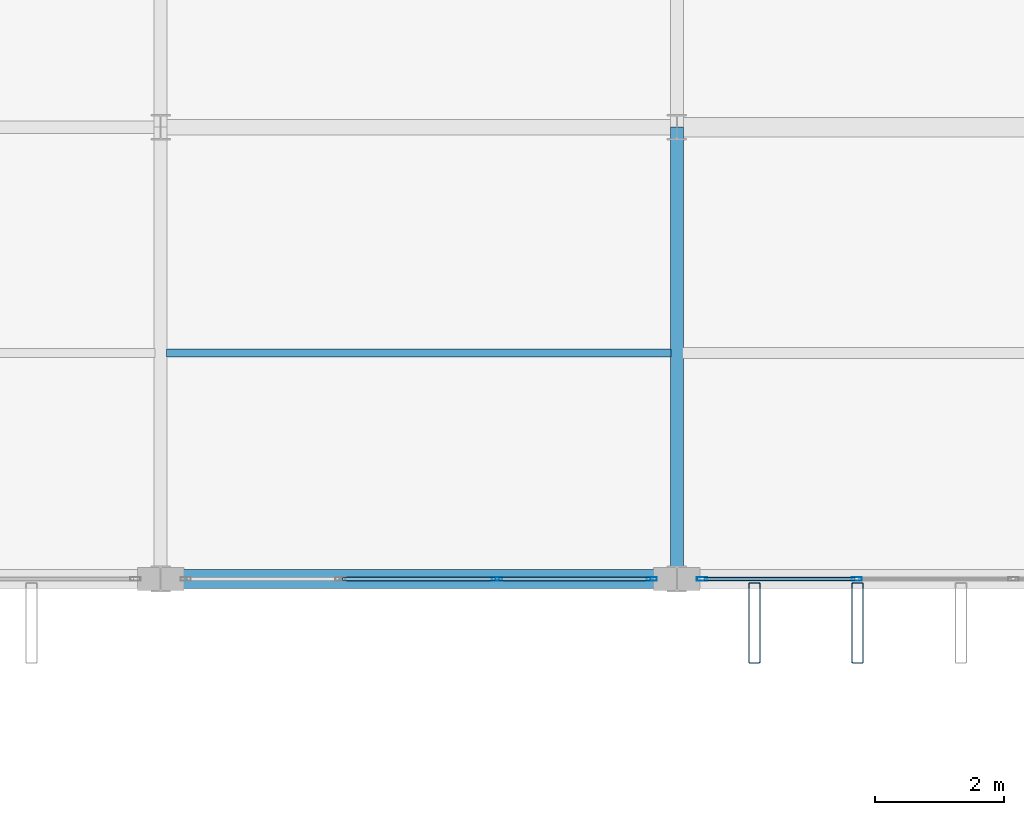
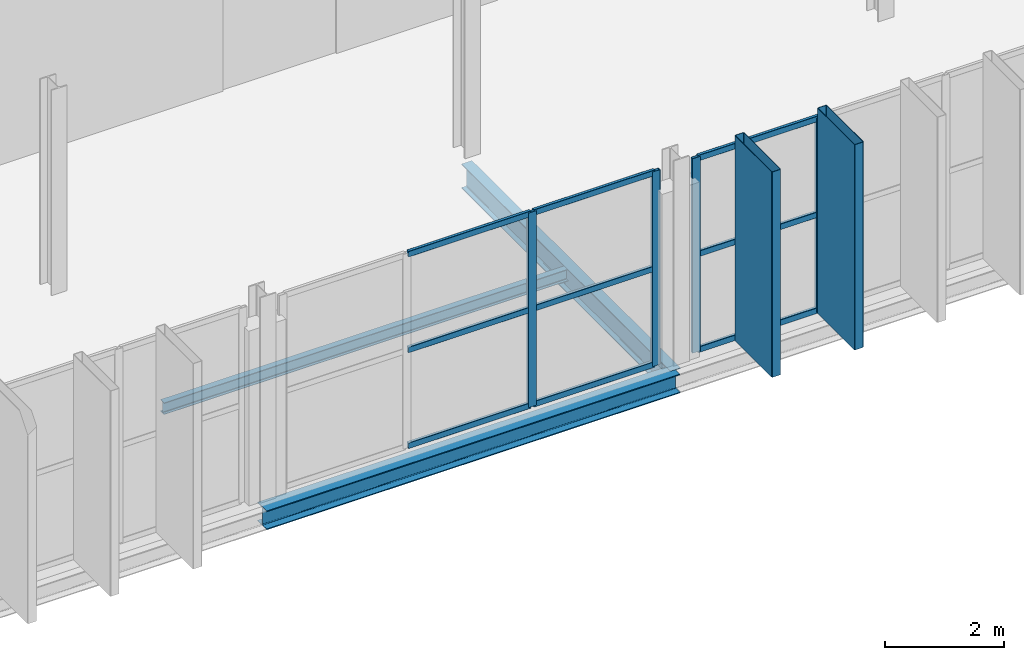
# One storey, part 29 of 101: 15 members, 3 beams, 2 elements without a shape of their own.
"""IFC4 building model written with IfcOpenShell, lengths in metres."""

from ifc_helpers import new_model, si_unit, direction, frame, origin, origin_2d, place, context, subcontext, project, spatial, hollow_rectangle, i_section, extrude, material, layer, layer_set, material_profile, profile_set, type_object, element, aggregate, save


model = new_model("IFC4")

# Units and contexts
model_context = context("Model", 3, precision=1e-05, world=origin(), true_north=direction((0.0, 1.0)))
body_context = subcontext(model_context, "Body", "Model", "MODEL_VIEW")
ifc_project = project(units=[si_unit("LENGTHUNIT", "METRE"), si_unit("AREAUNIT", "SQUARE_METRE"), si_unit("VOLUMEUNIT", "CUBIC_METRE"), si_unit("PLANEANGLEUNIT", "RADIAN"), si_unit("MASSUNIT", "GRAM", prefix="KILO")], contexts=[model_context])

# Site, building, storey
site_placement = place(None, origin())
site = spatial("IfcSite", under=ifc_project, at=site_placement, CompositionType="ELEMENT")
building_placement = place(site_placement, origin())
building = spatial("IfcBuilding", under=site, at=building_placement, Name="Vekula Escarpment Museum", CompositionType="ELEMENT")
storey_placement = place(building_placement, frame((0.0, 0.0, 18.0)))
storey = spatial("IfcBuildingStorey", under=building, at=storey_placement, Name="L04", CompositionType="ELEMENT", Elevation=18.0)

# Beams
ifc_material_1 = material(Name="Steel S355", Category="steel")
ifc_material_profile_1 = material_profile(ifc_material_1, i_section(OverallWidth=0.199951171875, OverallDepth=0.5, WebThickness=0.01025390625, FlangeThickness=0.01611328125, FilletRadius=0.02099609375, at=origin_2d()), Name="IPE 500")
ifc_profile_set_1 = profile_set([ifc_material_profile_1], Name="Steel S355")
beam_type_1 = type_object("IfcBeamType", Name="BM-GIRD-IPE500", PredefinedType="BEAM", material=ifc_profile_set_1)
beam_1_placement = place(storey_placement, frame((102.0, 45.60009765625, -0.489990234375), z_axis=(0.0, 1.0, 0.0), x_axis=(-1.0, 0.0, 0.0)))
element("IfcBeam", 1, at=beam_1_placement, inside=storey, type_object=beam_type_1, Name="Beam Y L04 1895", PredefinedType="BEAM", context=body_context, shape_type="SweptSolid", body=[
    extrude(i_section(OverallWidth=0.199951171875, OverallDepth=0.5, WebThickness=0.01025390625, FlangeThickness=0.01611328125, FilletRadius=0.02099609375, at=origin_2d()), origin(), (0.0, 0.0, 1.0), 7.0),
])
ifc_material_2 = material(Name="Steel S355", Category="steel")
ifc_material_profile_2 = material_profile(ifc_material_2, i_section(OverallWidth=0.1201171875, OverallDepth=0.239990234375, WebThickness=0.006103515625, FlangeThickness=0.009765625, FilletRadius=0.014892578125, at=origin_2d()), Name="IPE 240")
ifc_profile_set_2 = profile_set([ifc_material_profile_2], Name="Steel S355")
beam_type_2 = type_object("IfcBeamType", Name="BM-JST-IPE240", PredefinedType="JOIST", material=ifc_profile_set_2)
beam_2_placement = place(storey_placement, frame((94.090087890625, 49.10009765625, -0.360107421875), z_axis=(1.0, 0.0, 0.0), x_axis=(0.0, 1.0, 0.0)))
element("IfcBeam", 2, at=beam_2_placement, inside=storey, type_object=beam_type_2, Name="Secondary Joist L04 1215", PredefinedType="JOIST", context=body_context, shape_type="SweptSolid", body=[
    extrude(i_section(OverallWidth=0.1201171875, OverallDepth=0.239990234375, WebThickness=0.006103515625, FlangeThickness=0.009765625, FilletRadius=0.014892578125, at=origin_2d()), origin(), (0.0, 0.0, 1.0), 7.81982421875),
])
ifc_material_3 = material(Name="Steel S355", Category="steel")
ifc_material_profile_3 = material_profile(ifc_material_3, i_section(OverallWidth=0.300048828125, OverallDepth=0.389892578125, WebThickness=0.010986328125, FlangeThickness=0.01904296875, FilletRadius=0.027099609375, at=origin_2d()), Name="HEA 400")
ifc_profile_set_3 = profile_set([ifc_material_profile_3], Name="Steel S355")
beam_type_3 = type_object("IfcBeamType", Name="BM-SPAN-HEA400", PredefinedType="SPANDREL", material=ifc_profile_set_3)
beam_3_placement = place(storey_placement, frame((94.0, 45.60009765625, -0.43505859375), z_axis=(1.0, 0.0, 0.0), x_axis=(0.0, 1.0, 0.0)))
element("IfcBeam", 3, at=beam_3_placement, inside=storey, type_object=beam_type_3, Name="Beam X L04 1686", PredefinedType="SPANDREL", context=body_context, shape_type="SweptSolid", body=[
    extrude(i_section(OverallWidth=0.300048828125, OverallDepth=0.389892578125, WebThickness=0.010986328125, FlangeThickness=0.01904296875, FilletRadius=0.027099609375, at=origin_2d()), origin(), (0.0, 0.0, 1.0), 8.0),
])

# Curtain wall, members
ifc_material_4 = material(Name="Aluminium thermally broken framing", Category="aluminium")
ifc_layer_1 = layer(ifc_material_4, 0.159912109375)
ifc_layer_set_1 = layer_set([ifc_layer_1], Name="Aluminium thermally broken framing")
curtain_wall_type_1 = type_object("IfcCurtainWallType", Name="CW-SYS-05", PredefinedType="NOTDEFINED", material=ifc_layer_set_1)
curtain_wall_1_placement = place(storey_placement, origin())
curtain_wall_1 = element("IfcCurtainWall", 4, at=curtain_wall_1_placement, inside=storey, type_object=curtain_wall_type_1, Name="Curtain Wall CW-L04-135", PredefinedType="NOTDEFINED")
ifc_material_5 = material(Name="Aluminium anodized mullion", Category="aluminium")
ifc_material_profile_4 = material_profile(ifc_material_5, hollow_rectangle(XDim=0.06005859375, YDim=0.159912109375, WallThickness=0.00390625, InnerFilletRadius=0.00390625, OuterFilletRadius=0.008056640625, at=origin_2d()), Name="ALU 160x60x4")
ifc_profile_set_4 = profile_set([ifc_material_profile_4], Name="Aluminium anodized mullion")
member_type_1 = type_object("IfcMemberType", Name="CW-MUL-160", PredefinedType="MULLION", material=ifc_profile_set_4)
member_1_placement = place(storey_placement, frame((99.21337890625, 45.60009765625, 0.0), z_axis=(0.0, 0.0, 1.0), x_axis=(0.0, 1.0, 0.0)))
member_1 = element("IfcMember", 5, at=member_1_placement, type_object=member_type_1, Name="CW-05 mullion 3", PredefinedType="MULLION", context=body_context, shape_type="SweptSolid", body=[
    extrude(hollow_rectangle(XDim=0.06005859375, YDim=0.159912109375, WallThickness=0.00390625, InnerFilletRadius=0.00390625, OuterFilletRadius=0.008056640625, at=origin_2d()), origin(), (0.0, 0.0, 1.0), 3.97998046875),
])
member_2_placement = place(storey_placement, frame((101.610107421875, 45.60009765625, 0.0), z_axis=(0.0, 0.0, 1.0), x_axis=(0.0, 1.0, 0.0)))
member_2 = element("IfcMember", 6, at=member_2_placement, type_object=member_type_1, Name="CW-05 mullion 4", PredefinedType="MULLION", context=body_context, shape_type="SweptSolid", body=[
    extrude(hollow_rectangle(XDim=0.06005859375, YDim=0.159912109375, WallThickness=0.00390625, InnerFilletRadius=0.00390625, OuterFilletRadius=0.008056640625, at=origin_2d()), origin(), (0.0, 0.0, 1.0), 3.97998046875),
])

ifc_material_6 = material(Name="Aluminium thermally broken framing", Category="aluminium")
ifc_layer_2 = layer(ifc_material_6, 0.139892578125)
ifc_layer_set_2 = layer_set([ifc_layer_2], Name="Aluminium thermally broken framing")
curtain_wall_type_2 = type_object("IfcCurtainWallType", Name="CW-SYS-06", PredefinedType="NOTDEFINED", material=ifc_layer_set_2)
curtain_wall_2_placement = place(storey_placement, origin())
curtain_wall_2 = element("IfcCurtainWall", 7, at=curtain_wall_2_placement, inside=storey, type_object=curtain_wall_type_2, Name="Curtain Wall CW-L04-136", PredefinedType="NOTDEFINED")
member_3_placement = place(storey_placement, frame((102.389892578125, 45.60009765625, 0.0), z_axis=(0.0, 0.0, 1.0), x_axis=(0.0, 1.0, 0.0)))
member_3 = element("IfcMember", 8, at=member_3_placement, type_object=member_type_1, Name="CW-06 mullion 1", PredefinedType="MULLION", context=body_context, shape_type="SweptSolid", body=[
    extrude(hollow_rectangle(XDim=0.06005859375, YDim=0.159912109375, WallThickness=0.00390625, InnerFilletRadius=0.00390625, OuterFilletRadius=0.008056640625, at=origin_2d()), origin(), (0.0, 0.0, 1.0), 3.97998046875),
])
member_4_placement = place(storey_placement, frame((104.78662109375, 45.60009765625, 0.0), z_axis=(0.0, 0.0, 1.0), x_axis=(0.0, 1.0, 0.0)))
member_4 = element("IfcMember", 9, at=member_4_placement, type_object=member_type_1, Name="CW-06 mullion 2", PredefinedType="MULLION", context=body_context, shape_type="SweptSolid", body=[
    extrude(hollow_rectangle(XDim=0.06005859375, YDim=0.159912109375, WallThickness=0.00390625, InnerFilletRadius=0.00390625, OuterFilletRadius=0.008056640625, at=origin_2d()), origin(), (0.0, 0.0, 1.0), 3.97998046875),
])

# Member
ifc_material_7 = material(Name="Aluminium anodized transom", Category="aluminium")
ifc_material_profile_5 = material_profile(ifc_material_7, hollow_rectangle(XDim=0.06005859375, YDim=0.1201171875, WallThickness=0.00390625, InnerFilletRadius=0.00390625, OuterFilletRadius=0.008056640625, at=origin_2d()), Name="ALU 120x60x4")
ifc_profile_set_5 = profile_set([ifc_material_profile_5], Name="Aluminium anodized transom")
member_type_2 = type_object("IfcMemberType", Name="CW-TRN-120", PredefinedType="USERDEFINED", material=ifc_profile_set_5)
member_5_placement = place(storey_placement, frame((96.816650390625, 45.60009765625, 0.030029296875), z_axis=(1.0, 0.0, 0.0), x_axis=(0.0, 1.0, 0.0)))
member_5 = element("IfcMember", 10, at=member_5_placement, type_object=member_type_2, Name="CW-05 transom 2.1", ObjectType="TRANSOM", PredefinedType="USERDEFINED", context=body_context, shape_type="SweptSolid", body=[
    extrude(hollow_rectangle(XDim=0.06005859375, YDim=0.1201171875, WallThickness=0.00390625, InnerFilletRadius=0.00390625, OuterFilletRadius=0.008056640625, at=origin_2d()), origin(), (0.0, 0.0, 1.0), 2.36669921875),
])

member_6_placement = place(storey_placement, frame((96.816650390625, 45.60009765625, 1.989990234375), z_axis=(1.0, 0.0, 0.0), x_axis=(0.0, 1.0, 0.0)))
member_6 = element("IfcMember", 11, at=member_6_placement, type_object=member_type_2, Name="CW-05 transom 2.2", ObjectType="TRANSOM", PredefinedType="USERDEFINED", context=body_context, shape_type="SweptSolid", body=[
    extrude(hollow_rectangle(XDim=0.06005859375, YDim=0.1201171875, WallThickness=0.00390625, InnerFilletRadius=0.00390625, OuterFilletRadius=0.008056640625, at=origin_2d()), origin(), (0.0, 0.0, 1.0), 2.36669921875),
])

member_7_placement = place(storey_placement, frame((96.816650390625, 45.60009765625, 3.949951171875), z_axis=(1.0, 0.0, 0.0), x_axis=(0.0, 1.0, 0.0)))
member_7 = element("IfcMember", 12, at=member_7_placement, type_object=member_type_2, Name="CW-05 transom 2.3", ObjectType="TRANSOM", PredefinedType="USERDEFINED", context=body_context, shape_type="SweptSolid", body=[
    extrude(hollow_rectangle(XDim=0.06005859375, YDim=0.1201171875, WallThickness=0.00390625, InnerFilletRadius=0.00390625, OuterFilletRadius=0.008056640625, at=origin_2d()), origin(), (0.0, 0.0, 1.0), 2.36669921875),
])

member_8_placement = place(storey_placement, frame((99.243408203125, 45.60009765625, 0.030029296875), z_axis=(1.0, 0.0, 0.0), x_axis=(0.0, 1.0, 0.0)))
member_8 = element("IfcMember", 13, at=member_8_placement, type_object=member_type_2, Name="CW-05 transom 3.1", ObjectType="TRANSOM", PredefinedType="USERDEFINED", context=body_context, shape_type="SweptSolid", body=[
    extrude(hollow_rectangle(XDim=0.06005859375, YDim=0.1201171875, WallThickness=0.00390625, InnerFilletRadius=0.00390625, OuterFilletRadius=0.008056640625, at=origin_2d()), origin(), (0.0, 0.0, 1.0), 2.336669921875),
])

member_9_placement = place(storey_placement, frame((99.243408203125, 45.60009765625, 1.989990234375), z_axis=(1.0, 0.0, 0.0), x_axis=(0.0, 1.0, 0.0)))
member_9 = element("IfcMember", 14, at=member_9_placement, type_object=member_type_2, Name="CW-05 transom 3.2", ObjectType="TRANSOM", PredefinedType="USERDEFINED", context=body_context, shape_type="SweptSolid", body=[
    extrude(hollow_rectangle(XDim=0.06005859375, YDim=0.1201171875, WallThickness=0.00390625, InnerFilletRadius=0.00390625, OuterFilletRadius=0.008056640625, at=origin_2d()), origin(), (0.0, 0.0, 1.0), 2.336669921875),
])

member_10_placement = place(storey_placement, frame((99.243408203125, 45.60009765625, 3.949951171875), z_axis=(1.0, 0.0, 0.0), x_axis=(0.0, 1.0, 0.0)))
member_10 = element("IfcMember", 15, at=member_10_placement, type_object=member_type_2, Name="CW-05 transom 3.3", ObjectType="TRANSOM", PredefinedType="USERDEFINED", context=body_context, shape_type="SweptSolid", body=[
    extrude(hollow_rectangle(XDim=0.06005859375, YDim=0.1201171875, WallThickness=0.00390625, InnerFilletRadius=0.00390625, OuterFilletRadius=0.008056640625, at=origin_2d()), origin(), (0.0, 0.0, 1.0), 2.336669921875),
])

aggregate(curtain_wall_1, [member_1, member_2, member_5, member_6, member_7, member_8, member_9, member_10])

member_11_placement = place(storey_placement, frame((102.419921875, 45.60009765625, 0.030029296875), z_axis=(1.0, 0.0, 0.0), x_axis=(0.0, 1.0, 0.0)))
member_11 = element("IfcMember", 16, at=member_11_placement, type_object=member_type_2, Name="CW-06 transom 1.1", ObjectType="TRANSOM", PredefinedType="USERDEFINED", context=body_context, shape_type="SweptSolid", body=[
    extrude(hollow_rectangle(XDim=0.06005859375, YDim=0.1201171875, WallThickness=0.00390625, InnerFilletRadius=0.00390625, OuterFilletRadius=0.008056640625, at=origin_2d()), origin(), (0.0, 0.0, 1.0), 2.336669921875),
])

member_12_placement = place(storey_placement, frame((102.419921875, 45.60009765625, 1.989990234375), z_axis=(1.0, 0.0, 0.0), x_axis=(0.0, 1.0, 0.0)))
member_12 = element("IfcMember", 17, at=member_12_placement, type_object=member_type_2, Name="CW-06 transom 1.2", ObjectType="TRANSOM", PredefinedType="USERDEFINED", context=body_context, shape_type="SweptSolid", body=[
    extrude(hollow_rectangle(XDim=0.06005859375, YDim=0.1201171875, WallThickness=0.00390625, InnerFilletRadius=0.00390625, OuterFilletRadius=0.008056640625, at=origin_2d()), origin(), (0.0, 0.0, 1.0), 2.336669921875),
])

member_13_placement = place(storey_placement, frame((102.419921875, 45.60009765625, 3.949951171875), z_axis=(1.0, 0.0, 0.0), x_axis=(0.0, 1.0, 0.0)))
member_13 = element("IfcMember", 18, at=member_13_placement, type_object=member_type_2, Name="CW-06 transom 1.3", ObjectType="TRANSOM", PredefinedType="USERDEFINED", context=body_context, shape_type="SweptSolid", body=[
    extrude(hollow_rectangle(XDim=0.06005859375, YDim=0.1201171875, WallThickness=0.00390625, InnerFilletRadius=0.00390625, OuterFilletRadius=0.008056640625, at=origin_2d()), origin(), (0.0, 0.0, 1.0), 2.336669921875),
])

aggregate(curtain_wall_2, [member_3, member_4, member_11, member_12, member_13])

# Members
ifc_material_8 = material(Name="Steel S355 weathered bronze solar fin", Category="steel")
ifc_material_profile_6 = material_profile(ifc_material_8, hollow_rectangle(XDim=0.179931640625, YDim=1.25, WallThickness=0.010009765625, InnerFilletRadius=0.010009765625, OuterFilletRadius=0.02001953125, at=origin_2d()), Name="RHS 1250x180x10")
ifc_profile_set_6 = profile_set([ifc_material_profile_6], Name="Steel S355 weathered bronze solar fin")
member_type_3 = type_object("IfcMemberType", Name="MB-SOLAR-FIN", PredefinedType="USERDEFINED", material=ifc_profile_set_6)
for number, where, z_axis, x_axis, name in (
    (19, (103.199951171875, 44.919921875, 0.0), (0.0, 0.0, 1.0), (1.0, 0.0, 0.0), "Great Hall Vertical Solar Fin 0069"),
    (20, (104.800048828125, 44.919921875, 0.0), (0.0, 0.0, 1.0), (1.0, 0.0, 0.0), "Great Hall Vertical Solar Fin 0074"),
):
    element("IfcMember", number, at=place(storey_placement, frame(where, z_axis=z_axis, x_axis=x_axis)), inside=storey, type_object=member_type_3, Name=name, ObjectType="SOLAR FIN", PredefinedType="USERDEFINED", context=body_context, shape_type="SweptSolid", body=[
        extrude(hollow_rectangle(XDim=0.179931640625, YDim=1.25, WallThickness=0.010009765625, InnerFilletRadius=0.010009765625, OuterFilletRadius=0.02001953125, at=origin_2d()), origin(), (0.0, 0.0, 1.0), 4.199951171875),
    ])

save(model, "model.ifc")
